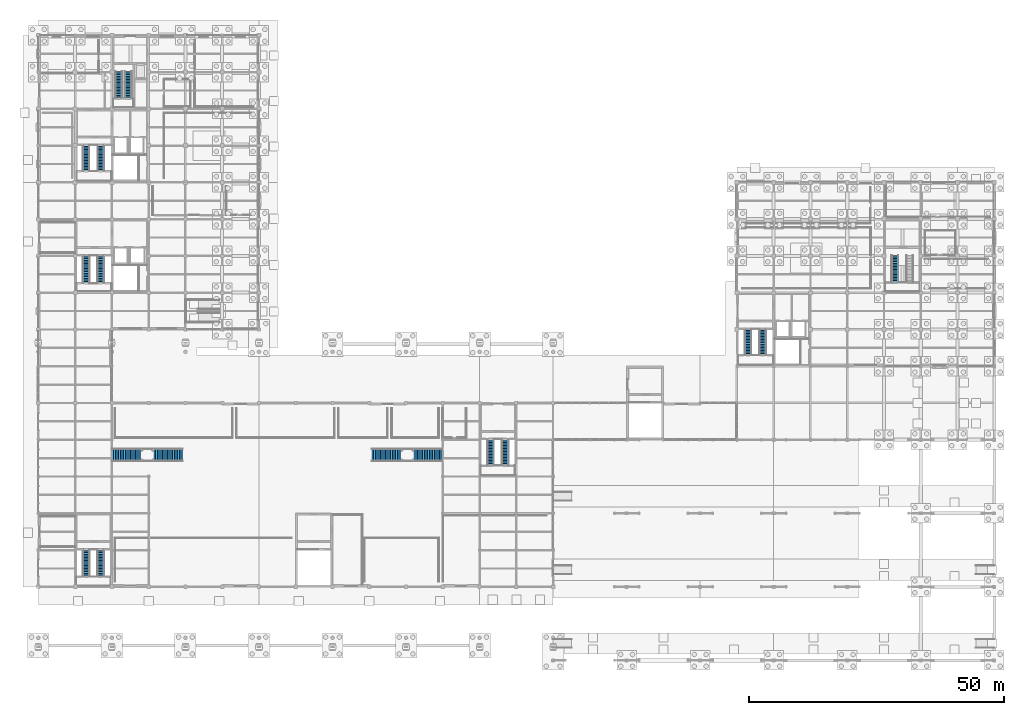
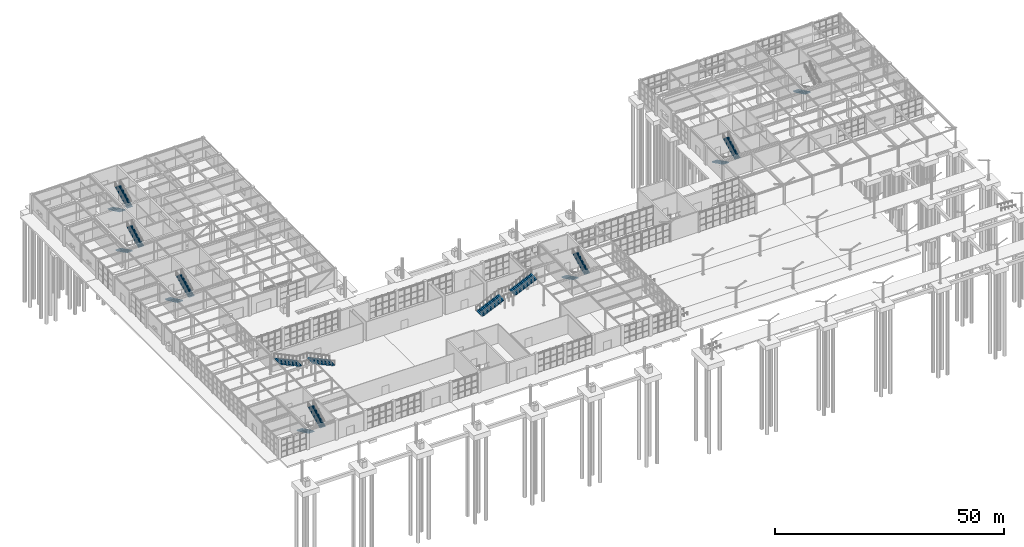
# One storey, part 64 of 75: 17 stair flights, 9 elements without a shape of their own.
"""IFC4 building model written with IfcOpenShell, lengths in metres."""

from ifc_helpers import new_model, si_unit, direction, frame, origin, place, context, subcontext, project, spatial, polyline, outline, extrude, material, layer, layer_set, type_object, element, aggregate, save


model = new_model("IFC4")

# Units and contexts
model_context = context("Model", 3, precision=1e-05, world=origin(), true_north=direction((0.0, 1.0)))
body_context = subcontext(model_context, "Body", "Model", "MODEL_VIEW")
ifc_project = project(units=[si_unit("LENGTHUNIT", "METRE"), si_unit("AREAUNIT", "SQUARE_METRE"), si_unit("VOLUMEUNIT", "CUBIC_METRE"), si_unit("PLANEANGLEUNIT", "RADIAN"), si_unit("MASSUNIT", "GRAM", prefix="KILO")], contexts=[model_context])

# Site, building, storey
site_placement = place(None, origin())
site = spatial("IfcSite", under=ifc_project, at=site_placement, CompositionType="ELEMENT")
building_placement = place(site_placement, origin())
building = spatial("IfcBuilding", under=site, at=building_placement, Name="Leyfeld Transit Interchange", CompositionType="ELEMENT")
storey_placement = place(building_placement, origin())
storey = spatial("IfcBuildingStorey", under=building, at=storey_placement, Name="L00", CompositionType="ELEMENT", Elevation=0.0)

# Stair, stair flights
ifc_material = material(Name="Precast concrete C40/50", Category="concrete")
stair_type_1 = type_object("IfcStairType", Name="STR-HT-150x300", PredefinedType="HALF_TURN_STAIR", material=ifc_material)
stair_1_placement = place(storey_placement, origin())
stair_1 = element("IfcStair", 1, at=stair_1_placement, inside=storey, type_object=stair_type_1, Name="Exit Stair ST-01 (L00 to L01)", PredefinedType="HALF_TURN_STAIR")
ifc_layer_1 = layer(ifc_material, 0.199951171875, Name="Precast concrete C40/50")
ifc_layer_set_1 = layer_set([ifc_layer_1], Name="Precast concrete C40/50")
stair_flight_type_1 = type_object("IfcStairFlightType", Name="FLT-1350", PredefinedType="STRAIGHT", material=ifc_layer_set_1)
stair_flight_1_placement = place(storey_placement, frame((9.35009765625, 100.89990234375, 0.0), z_axis=(0.0, 0.0, 1.0), x_axis=(0.0, -1.0, 0.0)))
stair_flight_1 = element("IfcStairFlight", 2, at=stair_flight_1_placement, type_object=stair_flight_type_1, Name="Stair ST-01 L00 Flight 1", NumberOfRisers=18, NumberOfTreads=17, PredefinedType="STRAIGHT", RiserHeight=0.15, TreadLength=0.3, context=body_context, shape_type="SweptSolid", body=[
    extrude(outline(polyline([(0.0, 0.0), (0.0, 0.14990234375), (0.300048828125, 0.14990234375), (0.300048828125, 0.300048828125), (0.60009765625, 0.300048828125), (0.60009765625, 0.449951171875), (0.89990234375, 0.449951171875), (0.89990234375, 0.60009765625), (1.199951171875, 0.60009765625), (1.199951171875, 0.75), (1.5, 0.75), (1.5, 0.89990234375), (1.800048828125, 0.89990234375), (1.800048828125, 1.050048828125), (2.10009765625, 1.050048828125), (2.10009765625, 1.199951171875), (2.39990234375, 1.199951171875), (2.39990234375, 1.35009765625), (2.699951171875, 1.35009765625), (2.699951171875, 1.5), (3.0, 1.5), (3.0, 1.64990234375), (3.300048828125, 1.64990234375), (3.300048828125, 1.800048828125), (3.60009765625, 1.800048828125), (3.60009765625, 1.949951171875), (3.89990234375, 1.949951171875), (3.89990234375, 2.10009765625), (4.199951171875, 2.10009765625), (4.199951171875, 2.25), (4.5, 2.25), (4.5, 2.39990234375), (4.800048828125, 2.39990234375), (4.800048828125, 2.550048828125), (5.10009765625, 2.550048828125), (5.10009765625, 2.699951171875), (5.10009765625, 2.326416015625), (0.447021484375, 0.0), (0.0, 0.0)])), frame((0.0, 0.675048828125, 0.0), z_axis=(0.0, -1.0, 0.0), x_axis=(1.0, 0.0, 0.0)), (0.0, 0.0, 1.0), 1.35009765625),
])
stair_flight_2_placement = place(storey_placement, frame((12.25, 95.800048828125, 2.699951171875), z_axis=(0.0, 0.0, 1.0), x_axis=(0.0, 1.0, 0.0)))
stair_flight_2 = element("IfcStairFlight", 3, at=stair_flight_2_placement, type_object=stair_flight_type_1, Name="Stair ST-01 L00 Flight 2", NumberOfRisers=18, NumberOfTreads=17, PredefinedType="STRAIGHT", RiserHeight=0.15, TreadLength=0.3, context=body_context, shape_type="SweptSolid", body=[
    extrude(outline(polyline([(0.0, 0.0), (0.0, 0.14990234375), (0.300048828125, 0.14990234375), (0.300048828125, 0.300048828125), (0.60009765625, 0.300048828125), (0.60009765625, 0.449951171875), (0.89990234375, 0.449951171875), (0.89990234375, 0.60009765625), (1.199951171875, 0.60009765625), (1.199951171875, 0.75), (1.5, 0.75), (1.5, 0.89990234375), (1.800048828125, 0.89990234375), (1.800048828125, 1.050048828125), (2.10009765625, 1.050048828125), (2.10009765625, 1.199951171875), (2.39990234375, 1.199951171875), (2.39990234375, 1.35009765625), (2.699951171875, 1.35009765625), (2.699951171875, 1.5), (3.0, 1.5), (3.0, 1.64990234375), (3.300048828125, 1.64990234375), (3.300048828125, 1.800048828125), (3.60009765625, 1.800048828125), (3.60009765625, 1.949951171875), (3.89990234375, 1.949951171875), (3.89990234375, 2.10009765625), (4.199951171875, 2.10009765625), (4.199951171875, 2.25), (4.5, 2.25), (4.5, 2.39990234375), (4.800048828125, 2.39990234375), (4.800048828125, 2.550048828125), (5.10009765625, 2.550048828125), (5.10009765625, 2.699951171875), (5.10009765625, 2.326416015625), (0.447021484375, 0.0), (0.0, 0.0)])), frame((0.0, 0.675048828125, 0.0), z_axis=(0.0, -1.0, 0.0), x_axis=(1.0, 0.0, 0.0)), (0.0, 0.0, 1.0), 1.35009765625),
])
aggregate(stair_1, [stair_flight_1, stair_flight_2])

stair_2_placement = place(storey_placement, origin())
stair_2 = element("IfcStair", 4, at=stair_2_placement, inside=storey, type_object=stair_type_1, Name="Exit Stair ST-04 (L00 to L01)", PredefinedType="HALF_TURN_STAIR")
stair_flight_3_placement = place(storey_placement, frame((138.949951171875, 64.89990234375, 0.0), z_axis=(0.0, 0.0, 1.0), x_axis=(0.0, -1.0, 0.0)))
stair_flight_3 = element("IfcStairFlight", 5, at=stair_flight_3_placement, type_object=stair_flight_type_1, Name="Stair ST-04 L00 Flight 1", NumberOfRisers=18, NumberOfTreads=17, PredefinedType="STRAIGHT", RiserHeight=0.15, TreadLength=0.3, context=body_context, shape_type="SweptSolid", body=[
    extrude(outline(polyline([(0.0, 0.0), (0.0, 0.14990234375), (0.300048828125, 0.14990234375), (0.300048828125, 0.300048828125), (0.60009765625, 0.300048828125), (0.60009765625, 0.449951171875), (0.89990234375, 0.449951171875), (0.89990234375, 0.60009765625), (1.199951171875, 0.60009765625), (1.199951171875, 0.75), (1.5, 0.75), (1.5, 0.89990234375), (1.800048828125, 0.89990234375), (1.800048828125, 1.050048828125), (2.10009765625, 1.050048828125), (2.10009765625, 1.199951171875), (2.39990234375, 1.199951171875), (2.39990234375, 1.35009765625), (2.699951171875, 1.35009765625), (2.699951171875, 1.5), (3.0, 1.5), (3.0, 1.64990234375), (3.300048828125, 1.64990234375), (3.300048828125, 1.800048828125), (3.60009765625, 1.800048828125), (3.60009765625, 1.949951171875), (3.89990234375, 1.949951171875), (3.89990234375, 2.10009765625), (4.199951171875, 2.10009765625), (4.199951171875, 2.25), (4.5, 2.25), (4.5, 2.39990234375), (4.800048828125, 2.39990234375), (4.800048828125, 2.550048828125), (5.10009765625, 2.550048828125), (5.10009765625, 2.699951171875), (5.10009765625, 2.326416015625), (0.447021484375, 0.0), (0.0, 0.0)])), frame((0.0, 0.675048828125, 0.0), z_axis=(0.0, -1.0, 0.0), x_axis=(1.0, 0.0, 0.0)), (0.0, 0.0, 1.0), 1.35009765625),
])
stair_flight_4_placement = place(storey_placement, frame((141.85009765625, 59.800048828125, 2.699951171875), z_axis=(0.0, 0.0, 1.0), x_axis=(0.0, 1.0, 0.0)))
stair_flight_4 = element("IfcStairFlight", 6, at=stair_flight_4_placement, type_object=stair_flight_type_1, Name="Stair ST-04 L00 Flight 2", NumberOfRisers=18, NumberOfTreads=17, PredefinedType="STRAIGHT", RiserHeight=0.15, TreadLength=0.3, context=body_context, shape_type="SweptSolid", body=[
    extrude(outline(polyline([(0.0, 0.0), (0.0, 0.14990234375), (0.300048828125, 0.14990234375), (0.300048828125, 0.300048828125), (0.60009765625, 0.300048828125), (0.60009765625, 0.449951171875), (0.89990234375, 0.449951171875), (0.89990234375, 0.60009765625), (1.199951171875, 0.60009765625), (1.199951171875, 0.75), (1.5, 0.75), (1.5, 0.89990234375), (1.800048828125, 0.89990234375), (1.800048828125, 1.050048828125), (2.10009765625, 1.050048828125), (2.10009765625, 1.199951171875), (2.39990234375, 1.199951171875), (2.39990234375, 1.35009765625), (2.699951171875, 1.35009765625), (2.699951171875, 1.5), (3.0, 1.5), (3.0, 1.64990234375), (3.300048828125, 1.64990234375), (3.300048828125, 1.800048828125), (3.60009765625, 1.800048828125), (3.60009765625, 1.949951171875), (3.89990234375, 1.949951171875), (3.89990234375, 2.10009765625), (4.199951171875, 2.10009765625), (4.199951171875, 2.25), (4.5, 2.25), (4.5, 2.39990234375), (4.800048828125, 2.39990234375), (4.800048828125, 2.550048828125), (5.10009765625, 2.550048828125), (5.10009765625, 2.699951171875), (5.10009765625, 2.326416015625), (0.447021484375, 0.0), (0.0, 0.0)])), frame((0.0, 0.675048828125, 0.0), z_axis=(0.0, -1.0, 0.0), x_axis=(1.0, 0.0, 0.0)), (0.0, 0.0, 1.0), 1.35009765625),
])
aggregate(stair_2, [stair_flight_3, stair_flight_4])

stair_3_placement = place(storey_placement, origin())
stair_3 = element("IfcStair", 7, at=stair_3_placement, inside=storey, type_object=stair_type_1, Name="Exit Stair ST-07 (L00 to L01)", PredefinedType="HALF_TURN_STAIR")
stair_flight_5_placement = place(storey_placement, frame((88.550048828125, 43.300048828125, 0.0), z_axis=(0.0, 0.0, 1.0), x_axis=(0.0, -1.0, 0.0)))
stair_flight_5 = element("IfcStairFlight", 8, at=stair_flight_5_placement, type_object=stair_flight_type_1, Name="Stair ST-07 L00 Flight 1", NumberOfRisers=18, NumberOfTreads=17, PredefinedType="STRAIGHT", RiserHeight=0.15, TreadLength=0.3, context=body_context, shape_type="SweptSolid", body=[
    extrude(outline(polyline([(0.0, 0.0), (0.0, 0.14990234375), (0.300048828125, 0.14990234375), (0.300048828125, 0.300048828125), (0.60009765625, 0.300048828125), (0.60009765625, 0.449951171875), (0.89990234375, 0.449951171875), (0.89990234375, 0.60009765625), (1.199951171875, 0.60009765625), (1.199951171875, 0.75), (1.5, 0.75), (1.5, 0.89990234375), (1.800048828125, 0.89990234375), (1.800048828125, 1.050048828125), (2.10009765625, 1.050048828125), (2.10009765625, 1.199951171875), (2.39990234375, 1.199951171875), (2.39990234375, 1.35009765625), (2.699951171875, 1.35009765625), (2.699951171875, 1.5), (3.0, 1.5), (3.0, 1.64990234375), (3.300048828125, 1.64990234375), (3.300048828125, 1.800048828125), (3.60009765625, 1.800048828125), (3.60009765625, 1.949951171875), (3.89990234375, 1.949951171875), (3.89990234375, 2.10009765625), (4.199951171875, 2.10009765625), (4.199951171875, 2.25), (4.5, 2.25), (4.5, 2.39990234375), (4.800048828125, 2.39990234375), (4.800048828125, 2.550048828125), (5.10009765625, 2.550048828125), (5.10009765625, 2.699951171875), (5.10009765625, 2.326416015625), (0.447021484375, 0.0), (0.0, 0.0)])), frame((0.0, 0.675048828125, 0.0), z_axis=(0.0, -1.0, 0.0), x_axis=(1.0, 0.0, 0.0)), (0.0, 0.0, 1.0), 1.35009765625),
])
stair_flight_6_placement = place(storey_placement, frame((91.449951171875, 38.199951171875, 2.699951171875), z_axis=(0.0, 0.0, 1.0), x_axis=(0.0, 1.0, 0.0)))
stair_flight_6 = element("IfcStairFlight", 9, at=stair_flight_6_placement, type_object=stair_flight_type_1, Name="Stair ST-07 L00 Flight 2", NumberOfRisers=18, NumberOfTreads=17, PredefinedType="STRAIGHT", RiserHeight=0.15, TreadLength=0.3, context=body_context, shape_type="SweptSolid", body=[
    extrude(outline(polyline([(0.0, 0.0), (0.0, 0.14990234375), (0.300048828125, 0.14990234375), (0.300048828125, 0.300048828125), (0.60009765625, 0.300048828125), (0.60009765625, 0.449951171875), (0.89990234375, 0.449951171875), (0.89990234375, 0.60009765625), (1.199951171875, 0.60009765625), (1.199951171875, 0.75), (1.5, 0.75), (1.5, 0.89990234375), (1.800048828125, 0.89990234375), (1.800048828125, 1.050048828125), (2.10009765625, 1.050048828125), (2.10009765625, 1.199951171875), (2.39990234375, 1.199951171875), (2.39990234375, 1.35009765625), (2.699951171875, 1.35009765625), (2.699951171875, 1.5), (3.0, 1.5), (3.0, 1.64990234375), (3.300048828125, 1.64990234375), (3.300048828125, 1.800048828125), (3.60009765625, 1.800048828125), (3.60009765625, 1.949951171875), (3.89990234375, 1.949951171875), (3.89990234375, 2.10009765625), (4.199951171875, 2.10009765625), (4.199951171875, 2.25), (4.5, 2.25), (4.5, 2.39990234375), (4.800048828125, 2.39990234375), (4.800048828125, 2.550048828125), (5.10009765625, 2.550048828125), (5.10009765625, 2.699951171875), (5.10009765625, 2.326416015625), (0.447021484375, 0.0), (0.0, 0.0)])), frame((0.0, 0.675048828125, 0.0), z_axis=(0.0, -1.0, 0.0), x_axis=(1.0, 0.0, 0.0)), (0.0, 0.0, 1.0), 1.35009765625),
])
aggregate(stair_3, [stair_flight_5, stair_flight_6])

stair_type_2 = type_object("IfcStairType", Name="STR-HT-150x310", PredefinedType="HALF_TURN_STAIR", material=ifc_material)
stair_4_placement = place(storey_placement, origin())
stair_4 = element("IfcStair", 10, at=stair_4_placement, inside=storey, type_object=stair_type_2, Name="Exit Stair ST-02 (L00 to L01)", PredefinedType="HALF_TURN_STAIR")
ifc_layer_2 = layer(ifc_material, 0.199951171875, Name="Precast concrete C40/50")
ifc_layer_set_2 = layer_set([ifc_layer_2], Name="Precast concrete C40/50")
stair_flight_type_2 = type_object("IfcStairFlightType", Name="FLT-1400", PredefinedType="STRAIGHT", material=ifc_layer_set_2)
stair_flight_7_placement = place(storey_placement, frame((15.719970703125, 115.300048828125, 0.0), z_axis=(0.0, 0.0, 1.0), x_axis=(0.0, -1.0, 0.0)))
stair_flight_7 = element("IfcStairFlight", 11, at=stair_flight_7_placement, type_object=stair_flight_type_2, Name="Stair ST-02 L00 Flight 1", NumberOfRisers=18, NumberOfTreads=17, PredefinedType="STRAIGHT", RiserHeight=0.15, TreadLength=0.31, context=body_context, shape_type="SweptSolid", body=[
    extrude(outline(polyline([(0.0, 0.0), (0.0, 0.14990234375), (0.31005859375, 0.14990234375), (0.31005859375, 0.300048828125), (0.6201171875, 0.300048828125), (0.6201171875, 0.449951171875), (0.929931640625, 0.449951171875), (0.929931640625, 0.60009765625), (1.239990234375, 0.60009765625), (1.239990234375, 0.75), (1.550048828125, 0.75), (1.550048828125, 0.89990234375), (1.860107421875, 0.89990234375), (1.860107421875, 1.050048828125), (2.169921875, 1.050048828125), (2.169921875, 1.199951171875), (2.47998046875, 1.199951171875), (2.47998046875, 1.35009765625), (2.7900390625, 1.35009765625), (2.7900390625, 1.5), (3.10009765625, 1.5), (3.10009765625, 1.64990234375), (3.409912109375, 1.64990234375), (3.409912109375, 1.800048828125), (3.719970703125, 1.800048828125), (3.719970703125, 1.949951171875), (4.030029296875, 1.949951171875), (4.030029296875, 2.10009765625), (4.340087890625, 2.10009765625), (4.340087890625, 2.25), (4.64990234375, 2.25), (4.64990234375, 2.39990234375), (4.9599609375, 2.39990234375), (4.9599609375, 2.550048828125), (5.27001953125, 2.550048828125), (5.27001953125, 2.699951171875), (5.27001953125, 2.327880859375), (0.458984375, 0.0), (0.0, 0.0)])), frame((0.0, 0.699951171875, 0.0), z_axis=(0.0, -1.0, 0.0), x_axis=(1.0, 0.0, 0.0)), (0.0, 0.0, 1.0), 1.39990234375),
])
stair_flight_8_placement = place(storey_placement, frame((17.6201171875, 110.030029296875, 2.699951171875), z_axis=(0.0, 0.0, 1.0), x_axis=(0.0, 1.0, 0.0)))
stair_flight_8 = element("IfcStairFlight", 12, at=stair_flight_8_placement, type_object=stair_flight_type_2, Name="Stair ST-02 L00 Flight 2", NumberOfRisers=18, NumberOfTreads=17, PredefinedType="STRAIGHT", RiserHeight=0.15, TreadLength=0.31, context=body_context, shape_type="SweptSolid", body=[
    extrude(outline(polyline([(0.0, 0.0), (0.0, 0.14990234375), (0.31005859375, 0.14990234375), (0.31005859375, 0.300048828125), (0.6201171875, 0.300048828125), (0.6201171875, 0.449951171875), (0.929931640625, 0.449951171875), (0.929931640625, 0.60009765625), (1.239990234375, 0.60009765625), (1.239990234375, 0.75), (1.550048828125, 0.75), (1.550048828125, 0.89990234375), (1.860107421875, 0.89990234375), (1.860107421875, 1.050048828125), (2.169921875, 1.050048828125), (2.169921875, 1.199951171875), (2.47998046875, 1.199951171875), (2.47998046875, 1.35009765625), (2.7900390625, 1.35009765625), (2.7900390625, 1.5), (3.10009765625, 1.5), (3.10009765625, 1.64990234375), (3.409912109375, 1.64990234375), (3.409912109375, 1.800048828125), (3.719970703125, 1.800048828125), (3.719970703125, 1.949951171875), (4.030029296875, 1.949951171875), (4.030029296875, 2.10009765625), (4.340087890625, 2.10009765625), (4.340087890625, 2.25), (4.64990234375, 2.25), (4.64990234375, 2.39990234375), (4.9599609375, 2.39990234375), (4.9599609375, 2.550048828125), (5.27001953125, 2.550048828125), (5.27001953125, 2.699951171875), (5.27001953125, 2.327880859375), (0.458984375, 0.0), (0.0, 0.0)])), frame((0.0, 0.699951171875, 0.0), z_axis=(0.0, -1.0, 0.0), x_axis=(1.0, 0.0, 0.0)), (0.0, 0.0, 1.0), 1.39990234375),
])
aggregate(stair_4, [stair_flight_7, stair_flight_8])

stair_type_3 = type_object("IfcStairType", Name="STR-HT-150x320", PredefinedType="HALF_TURN_STAIR", material=ifc_material)
stair_5_placement = place(storey_placement, origin())
stair_5 = element("IfcStair", 13, at=stair_5_placement, inside=storey, type_object=stair_type_3, Name="Exit Stair ST-03 (L00 to L01)", PredefinedType="HALF_TURN_STAIR")
stair_flight_9_placement = place(storey_placement, frame((9.35009765625, 79.300048828125, 0.0), z_axis=(0.0, 0.0, 1.0), x_axis=(0.0, -1.0, 0.0)))
stair_flight_9 = element("IfcStairFlight", 14, at=stair_flight_9_placement, type_object=stair_flight_type_2, Name="Stair ST-03 L00 Flight 1", NumberOfRisers=18, NumberOfTreads=17, PredefinedType="STRAIGHT", RiserHeight=0.15, TreadLength=0.32, context=body_context, shape_type="SweptSolid", body=[
    extrude(outline(polyline([(0.0, 0.0), (0.0, 0.14990234375), (0.320068359375, 0.14990234375), (0.320068359375, 0.300048828125), (0.639892578125, 0.300048828125), (0.639892578125, 0.449951171875), (0.9599609375, 0.449951171875), (0.9599609375, 0.60009765625), (1.280029296875, 0.60009765625), (1.280029296875, 0.75), (1.60009765625, 0.75), (1.60009765625, 0.89990234375), (1.919921875, 0.89990234375), (1.919921875, 1.050048828125), (2.239990234375, 1.050048828125), (2.239990234375, 1.199951171875), (2.56005859375, 1.199951171875), (2.56005859375, 1.35009765625), (2.8798828125, 1.35009765625), (2.8798828125, 1.5), (3.199951171875, 1.5), (3.199951171875, 1.64990234375), (3.52001953125, 1.64990234375), (3.52001953125, 1.800048828125), (3.840087890625, 1.800048828125), (3.840087890625, 1.949951171875), (4.159912109375, 1.949951171875), (4.159912109375, 2.10009765625), (4.47998046875, 2.10009765625), (4.47998046875, 2.25), (4.800048828125, 2.25), (4.800048828125, 2.39990234375), (5.1201171875, 2.39990234375), (5.1201171875, 2.550048828125), (5.43994140625, 2.550048828125), (5.43994140625, 2.699951171875), (5.43994140625, 2.3291015625), (0.47119140625, 0.0), (0.0, 0.0)])), frame((0.0, 0.699951171875, 0.0), z_axis=(0.0, -1.0, 0.0), x_axis=(1.0, 0.0, 0.0)), (0.0, 0.0, 1.0), 1.39990234375),
])
stair_flight_10_placement = place(storey_placement, frame((12.25, 73.860107421875, 2.699951171875), z_axis=(0.0, 0.0, 1.0), x_axis=(0.0, 1.0, 0.0)))
stair_flight_10 = element("IfcStairFlight", 15, at=stair_flight_10_placement, type_object=stair_flight_type_2, Name="Stair ST-03 L00 Flight 2", NumberOfRisers=18, NumberOfTreads=17, PredefinedType="STRAIGHT", RiserHeight=0.15, TreadLength=0.32, context=body_context, shape_type="SweptSolid", body=[
    extrude(outline(polyline([(0.0, 0.0), (0.0, 0.14990234375), (0.320068359375, 0.14990234375), (0.320068359375, 0.300048828125), (0.639892578125, 0.300048828125), (0.639892578125, 0.449951171875), (0.9599609375, 0.449951171875), (0.9599609375, 0.60009765625), (1.280029296875, 0.60009765625), (1.280029296875, 0.75), (1.60009765625, 0.75), (1.60009765625, 0.89990234375), (1.919921875, 0.89990234375), (1.919921875, 1.050048828125), (2.239990234375, 1.050048828125), (2.239990234375, 1.199951171875), (2.56005859375, 1.199951171875), (2.56005859375, 1.35009765625), (2.8798828125, 1.35009765625), (2.8798828125, 1.5), (3.199951171875, 1.5), (3.199951171875, 1.64990234375), (3.52001953125, 1.64990234375), (3.52001953125, 1.800048828125), (3.840087890625, 1.800048828125), (3.840087890625, 1.949951171875), (4.159912109375, 1.949951171875), (4.159912109375, 2.10009765625), (4.47998046875, 2.10009765625), (4.47998046875, 2.25), (4.800048828125, 2.25), (4.800048828125, 2.39990234375), (5.1201171875, 2.39990234375), (5.1201171875, 2.550048828125), (5.43994140625, 2.550048828125), (5.43994140625, 2.699951171875), (5.43994140625, 2.3291015625), (0.47119140625, 0.0), (0.0, 0.0)])), frame((0.0, 0.699951171875, 0.0), z_axis=(0.0, -1.0, 0.0), x_axis=(1.0, 0.0, 0.0)), (0.0, 0.0, 1.0), 1.39990234375),
])
aggregate(stair_5, [stair_flight_9, stair_flight_10])

# Stair, stair flight
stair_6_placement = place(storey_placement, origin())
stair_6 = element("IfcStair", 16, at=stair_6_placement, inside=storey, type_object=stair_type_2, Name="Exit Stair ST-05 (L00 to L01)", PredefinedType="HALF_TURN_STAIR")
stair_flight_11_placement = place(storey_placement, frame((167.75, 79.300048828125, 0.0), z_axis=(0.0, 0.0, 1.0), x_axis=(0.0, -1.0, 0.0)))
stair_flight_11 = element("IfcStairFlight", 17, at=stair_flight_11_placement, type_object=stair_flight_type_2, Name="Stair ST-05 L00 Flight 1", NumberOfRisers=18, NumberOfTreads=17, PredefinedType="STRAIGHT", RiserHeight=0.15, TreadLength=0.31, context=body_context, shape_type="SweptSolid", body=[
    extrude(outline(polyline([(0.0, 0.0), (0.0, 0.14990234375), (0.31005859375, 0.14990234375), (0.31005859375, 0.300048828125), (0.6201171875, 0.300048828125), (0.6201171875, 0.449951171875), (0.929931640625, 0.449951171875), (0.929931640625, 0.60009765625), (1.239990234375, 0.60009765625), (1.239990234375, 0.75), (1.550048828125, 0.75), (1.550048828125, 0.89990234375), (1.860107421875, 0.89990234375), (1.860107421875, 1.050048828125), (2.169921875, 1.050048828125), (2.169921875, 1.199951171875), (2.47998046875, 1.199951171875), (2.47998046875, 1.35009765625), (2.7900390625, 1.35009765625), (2.7900390625, 1.5), (3.10009765625, 1.5), (3.10009765625, 1.64990234375), (3.409912109375, 1.64990234375), (3.409912109375, 1.800048828125), (3.719970703125, 1.800048828125), (3.719970703125, 1.949951171875), (4.030029296875, 1.949951171875), (4.030029296875, 2.10009765625), (4.340087890625, 2.10009765625), (4.340087890625, 2.25), (4.64990234375, 2.25), (4.64990234375, 2.39990234375), (4.9599609375, 2.39990234375), (4.9599609375, 2.550048828125), (5.27001953125, 2.550048828125), (5.27001953125, 2.699951171875), (5.27001953125, 2.327880859375), (0.458984375, 0.0), (0.0, 0.0)])), frame((0.0, 0.699951171875, 0.0), z_axis=(0.0, -1.0, 0.0), x_axis=(1.0, 0.0, 0.0)), (0.0, 0.0, 1.0), 1.39990234375),
])
aggregate(stair_6, [stair_flight_11])

# Stair, stair flights
stair_7_placement = place(storey_placement, origin())
stair_7 = element("IfcStair", 18, at=stair_7_placement, inside=storey, type_object=stair_type_2, Name="Exit Stair ST-06 (L00 to L01)", PredefinedType="HALF_TURN_STAIR")
stair_flight_12_placement = place(storey_placement, frame((9.35009765625, 21.699951171875, 0.0), z_axis=(0.0, 0.0, 1.0), x_axis=(0.0, -1.0, 0.0)))
stair_flight_12 = element("IfcStairFlight", 19, at=stair_flight_12_placement, type_object=stair_flight_type_2, Name="Stair ST-06 L00 Flight 1", NumberOfRisers=18, NumberOfTreads=17, PredefinedType="STRAIGHT", RiserHeight=0.15, TreadLength=0.31, context=body_context, shape_type="SweptSolid", body=[
    extrude(outline(polyline([(0.0, 0.0), (0.0, 0.14990234375), (0.31005859375, 0.14990234375), (0.31005859375, 0.300048828125), (0.6201171875, 0.300048828125), (0.6201171875, 0.449951171875), (0.929931640625, 0.449951171875), (0.929931640625, 0.60009765625), (1.239990234375, 0.60009765625), (1.239990234375, 0.75), (1.550048828125, 0.75), (1.550048828125, 0.89990234375), (1.860107421875, 0.89990234375), (1.860107421875, 1.050048828125), (2.169921875, 1.050048828125), (2.169921875, 1.199951171875), (2.47998046875, 1.199951171875), (2.47998046875, 1.35009765625), (2.7900390625, 1.35009765625), (2.7900390625, 1.5), (3.10009765625, 1.5), (3.10009765625, 1.64990234375), (3.409912109375, 1.64990234375), (3.409912109375, 1.800048828125), (3.719970703125, 1.800048828125), (3.719970703125, 1.949951171875), (4.030029296875, 1.949951171875), (4.030029296875, 2.10009765625), (4.340087890625, 2.10009765625), (4.340087890625, 2.25), (4.64990234375, 2.25), (4.64990234375, 2.39990234375), (4.9599609375, 2.39990234375), (4.9599609375, 2.550048828125), (5.27001953125, 2.550048828125), (5.27001953125, 2.699951171875), (5.27001953125, 2.327880859375), (0.458984375, 0.0), (0.0, 0.0)])), frame((0.0, 0.699951171875, 0.0), z_axis=(0.0, -1.0, 0.0), x_axis=(1.0, 0.0, 0.0)), (0.0, 0.0, 1.0), 1.39990234375),
])
stair_flight_13_placement = place(storey_placement, frame((12.25, 16.429931640625, 2.699951171875), z_axis=(0.0, 0.0, 1.0), x_axis=(0.0, 1.0, 0.0)))
stair_flight_13 = element("IfcStairFlight", 20, at=stair_flight_13_placement, type_object=stair_flight_type_2, Name="Stair ST-06 L00 Flight 2", NumberOfRisers=18, NumberOfTreads=17, PredefinedType="STRAIGHT", RiserHeight=0.15, TreadLength=0.31, context=body_context, shape_type="SweptSolid", body=[
    extrude(outline(polyline([(0.0, 0.0), (0.0, 0.14990234375), (0.31005859375, 0.14990234375), (0.31005859375, 0.300048828125), (0.6201171875, 0.300048828125), (0.6201171875, 0.449951171875), (0.929931640625, 0.449951171875), (0.929931640625, 0.60009765625), (1.239990234375, 0.60009765625), (1.239990234375, 0.75), (1.550048828125, 0.75), (1.550048828125, 0.89990234375), (1.860107421875, 0.89990234375), (1.860107421875, 1.050048828125), (2.169921875, 1.050048828125), (2.169921875, 1.199951171875), (2.47998046875, 1.199951171875), (2.47998046875, 1.35009765625), (2.7900390625, 1.35009765625), (2.7900390625, 1.5), (3.10009765625, 1.5), (3.10009765625, 1.64990234375), (3.409912109375, 1.64990234375), (3.409912109375, 1.800048828125), (3.719970703125, 1.800048828125), (3.719970703125, 1.949951171875), (4.030029296875, 1.949951171875), (4.030029296875, 2.10009765625), (4.340087890625, 2.10009765625), (4.340087890625, 2.25), (4.64990234375, 2.25), (4.64990234375, 2.39990234375), (4.9599609375, 2.39990234375), (4.9599609375, 2.550048828125), (5.27001953125, 2.550048828125), (5.27001953125, 2.699951171875), (5.27001953125, 2.327880859375), (0.458984375, 0.0), (0.0, 0.0)])), frame((0.0, 0.699951171875, 0.0), z_axis=(0.0, -1.0, 0.0), x_axis=(1.0, 0.0, 0.0)), (0.0, 0.0, 1.0), 1.39990234375),
])
aggregate(stair_7, [stair_flight_12, stair_flight_13])

stair_type_4 = type_object("IfcStairType", Name="STR-SR-150x330", PredefinedType="STRAIGHT_RUN_STAIR", material=ifc_material)
stair_8_placement = place(storey_placement, origin())
stair_8 = element("IfcStair", 21, at=stair_8_placement, inside=storey, type_object=stair_type_4, Name="Concourse Feature Stair ST-10", PredefinedType="STRAIGHT_RUN_STAIR")
ifc_layer_3 = layer(ifc_material, 0.199951171875, Name="Precast concrete C40/50")
ifc_layer_set_3 = layer_set([ifc_layer_3], Name="Precast concrete C40/50")
stair_flight_type_3 = type_object("IfcStairFlightType", Name="FLT-2400", PredefinedType="STRAIGHT", material=ifc_layer_set_3)
stair_flight_14_placement = place(storey_placement, frame((28.260009765625, 40.199951171875, 0.0), z_axis=(0.0, 0.0, 1.0), x_axis=(-1.0, 0.0, 0.0)))
stair_flight_14 = element("IfcStairFlight", 22, at=stair_flight_14_placement, type_object=stair_flight_type_3, Name="Concourse Feature Stair ST-10 Flight 1", NumberOfRisers=18, NumberOfTreads=17, PredefinedType="STRAIGHT", RiserHeight=0.15, TreadLength=0.33, context=body_context, shape_type="SweptSolid", body=[
    extrude(outline(polyline([(0.0, 0.0), (0.0, 0.14990234375), (0.330078125, 0.14990234375), (0.330078125, 0.300048828125), (0.659912109375, 0.300048828125), (0.659912109375, 0.449951171875), (0.989990234375, 0.449951171875), (0.989990234375, 0.60009765625), (1.320068359375, 0.60009765625), (1.320068359375, 0.75), (1.64990234375, 0.75), (1.64990234375, 0.89990234375), (1.97998046875, 0.89990234375), (1.97998046875, 1.050048828125), (2.31005859375, 1.050048828125), (2.31005859375, 1.199951171875), (2.639892578125, 1.199951171875), (2.639892578125, 1.35009765625), (2.969970703125, 1.35009765625), (2.969970703125, 1.5), (3.300048828125, 1.5), (3.300048828125, 1.64990234375), (3.6298828125, 1.64990234375), (3.6298828125, 1.800048828125), (3.9599609375, 1.800048828125), (3.9599609375, 1.949951171875), (4.2900390625, 1.949951171875), (4.2900390625, 2.10009765625), (4.6201171875, 2.10009765625), (4.6201171875, 2.25), (4.949951171875, 2.25), (4.949951171875, 2.39990234375), (5.280029296875, 2.39990234375), (5.280029296875, 2.550048828125), (5.610107421875, 2.550048828125), (5.610107421875, 2.699951171875), (5.610107421875, 2.308349609375), (0.531494140625, 0.0), (0.0, 0.0)])), frame((0.0, 1.199951171875, 0.0), z_axis=(0.0, -1.0, 0.0), x_axis=(1.0, 0.0, 0.0)), (0.0, 0.0, 1.0), 2.39990234375),
])
stair_flight_15_placement = place(storey_placement, frame((20.010009765625, 40.199951171875, 2.699951171875), z_axis=(0.0, 0.0, 1.0), x_axis=(-1.0, 0.0, 0.0)))
stair_flight_15 = element("IfcStairFlight", 23, at=stair_flight_15_placement, type_object=stair_flight_type_3, Name="Concourse Feature Stair ST-10 Flight 2", NumberOfRisers=18, NumberOfTreads=17, PredefinedType="STRAIGHT", RiserHeight=0.15, TreadLength=0.33, context=body_context, shape_type="SweptSolid", body=[
    extrude(outline(polyline([(0.0, 0.0), (0.0, 0.14990234375), (0.330078125, 0.14990234375), (0.330078125, 0.300048828125), (0.659912109375, 0.300048828125), (0.659912109375, 0.449951171875), (0.989990234375, 0.449951171875), (0.989990234375, 0.60009765625), (1.320068359375, 0.60009765625), (1.320068359375, 0.75), (1.64990234375, 0.75), (1.64990234375, 0.89990234375), (1.97998046875, 0.89990234375), (1.97998046875, 1.050048828125), (2.31005859375, 1.050048828125), (2.31005859375, 1.199951171875), (2.639892578125, 1.199951171875), (2.639892578125, 1.35009765625), (2.969970703125, 1.35009765625), (2.969970703125, 1.5), (3.300048828125, 1.5), (3.300048828125, 1.64990234375), (3.6298828125, 1.64990234375), (3.6298828125, 1.800048828125), (3.9599609375, 1.800048828125), (3.9599609375, 1.949951171875), (4.2900390625, 1.949951171875), (4.2900390625, 2.10009765625), (4.6201171875, 2.10009765625), (4.6201171875, 2.25), (4.949951171875, 2.25), (4.949951171875, 2.39990234375), (5.280029296875, 2.39990234375), (5.280029296875, 2.550048828125), (5.610107421875, 2.550048828125), (5.610107421875, 2.699951171875), (5.610107421875, 2.308349609375), (0.531494140625, 0.0), (0.0, 0.0)])), frame((0.0, 1.199951171875, 0.0), z_axis=(0.0, -1.0, 0.0), x_axis=(1.0, 0.0, 0.0)), (0.0, 0.0, 1.0), 2.39990234375),
])
aggregate(stair_8, [stair_flight_14, stair_flight_15])

stair_9_placement = place(storey_placement, origin())
stair_9 = element("IfcStair", 24, at=stair_9_placement, inside=storey, type_object=stair_type_4, Name="Concourse Feature Stair ST-11", PredefinedType="STRAIGHT_RUN_STAIR")
stair_flight_16_placement = place(storey_placement, frame((65.340087890625, 40.199951171875, 0.0), z_axis=(0.0, 0.0, 1.0), x_axis=(1.0, 0.0, 0.0)))
stair_flight_16 = element("IfcStairFlight", 25, at=stair_flight_16_placement, type_object=stair_flight_type_3, Name="Concourse Feature Stair ST-11 Flight 1", NumberOfRisers=18, NumberOfTreads=17, PredefinedType="STRAIGHT", RiserHeight=0.15, TreadLength=0.33, context=body_context, shape_type="SweptSolid", body=[
    extrude(outline(polyline([(0.0, 0.0), (0.0, 0.14990234375), (0.330078125, 0.14990234375), (0.330078125, 0.300048828125), (0.659912109375, 0.300048828125), (0.659912109375, 0.449951171875), (0.989990234375, 0.449951171875), (0.989990234375, 0.60009765625), (1.320068359375, 0.60009765625), (1.320068359375, 0.75), (1.64990234375, 0.75), (1.64990234375, 0.89990234375), (1.97998046875, 0.89990234375), (1.97998046875, 1.050048828125), (2.31005859375, 1.050048828125), (2.31005859375, 1.199951171875), (2.639892578125, 1.199951171875), (2.639892578125, 1.35009765625), (2.969970703125, 1.35009765625), (2.969970703125, 1.5), (3.300048828125, 1.5), (3.300048828125, 1.64990234375), (3.6298828125, 1.64990234375), (3.6298828125, 1.800048828125), (3.9599609375, 1.800048828125), (3.9599609375, 1.949951171875), (4.2900390625, 1.949951171875), (4.2900390625, 2.10009765625), (4.6201171875, 2.10009765625), (4.6201171875, 2.25), (4.949951171875, 2.25), (4.949951171875, 2.39990234375), (5.280029296875, 2.39990234375), (5.280029296875, 2.550048828125), (5.610107421875, 2.550048828125), (5.610107421875, 2.699951171875), (5.610107421875, 2.308349609375), (0.531494140625, 0.0), (0.0, 0.0)])), frame((0.0, 1.199951171875, 0.0), z_axis=(0.0, -1.0, 0.0), x_axis=(1.0, 0.0, 0.0)), (0.0, 0.0, 1.0), 2.39990234375),
])
stair_flight_17_placement = place(storey_placement, frame((73.590087890625, 40.199951171875, 2.699951171875), z_axis=(0.0, 0.0, 1.0), x_axis=(1.0, 0.0, 0.0)))
stair_flight_17 = element("IfcStairFlight", 26, at=stair_flight_17_placement, type_object=stair_flight_type_3, Name="Concourse Feature Stair ST-11 Flight 2", NumberOfRisers=18, NumberOfTreads=17, PredefinedType="STRAIGHT", RiserHeight=0.15, TreadLength=0.33, context=body_context, shape_type="SweptSolid", body=[
    extrude(outline(polyline([(0.0, 0.0), (0.0, 0.14990234375), (0.330078125, 0.14990234375), (0.330078125, 0.300048828125), (0.659912109375, 0.300048828125), (0.659912109375, 0.449951171875), (0.989990234375, 0.449951171875), (0.989990234375, 0.60009765625), (1.320068359375, 0.60009765625), (1.320068359375, 0.75), (1.64990234375, 0.75), (1.64990234375, 0.89990234375), (1.97998046875, 0.89990234375), (1.97998046875, 1.050048828125), (2.31005859375, 1.050048828125), (2.31005859375, 1.199951171875), (2.639892578125, 1.199951171875), (2.639892578125, 1.35009765625), (2.969970703125, 1.35009765625), (2.969970703125, 1.5), (3.300048828125, 1.5), (3.300048828125, 1.64990234375), (3.6298828125, 1.64990234375), (3.6298828125, 1.800048828125), (3.9599609375, 1.800048828125), (3.9599609375, 1.949951171875), (4.2900390625, 1.949951171875), (4.2900390625, 2.10009765625), (4.6201171875, 2.10009765625), (4.6201171875, 2.25), (4.949951171875, 2.25), (4.949951171875, 2.39990234375), (5.280029296875, 2.39990234375), (5.280029296875, 2.550048828125), (5.610107421875, 2.550048828125), (5.610107421875, 2.699951171875), (5.610107421875, 2.308349609375), (0.531494140625, 0.0), (0.0, 0.0)])), frame((0.0, 1.199951171875, 0.0), z_axis=(0.0, -1.0, 0.0), x_axis=(1.0, 0.0, 0.0)), (0.0, 0.0, 1.0), 2.39990234375),
])
aggregate(stair_9, [stair_flight_16, stair_flight_17])

save(model, "model.ifc")
